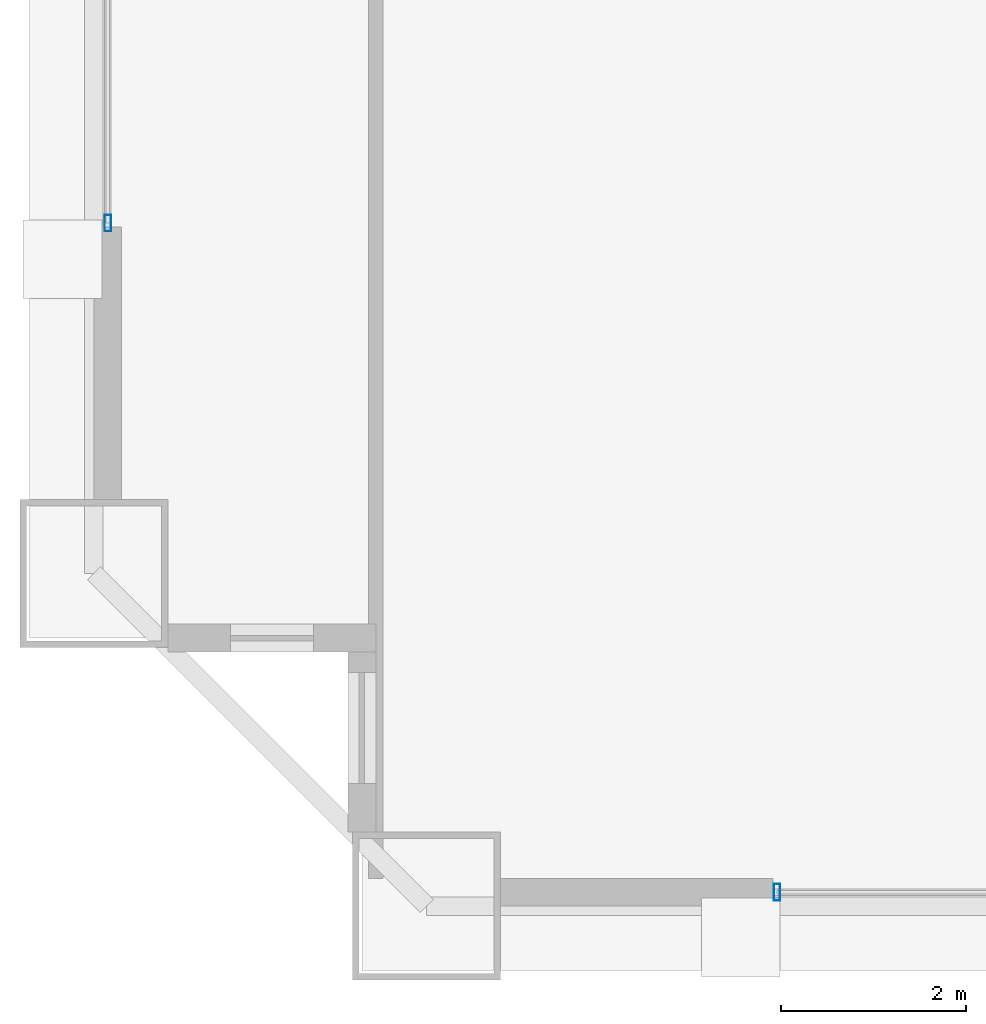
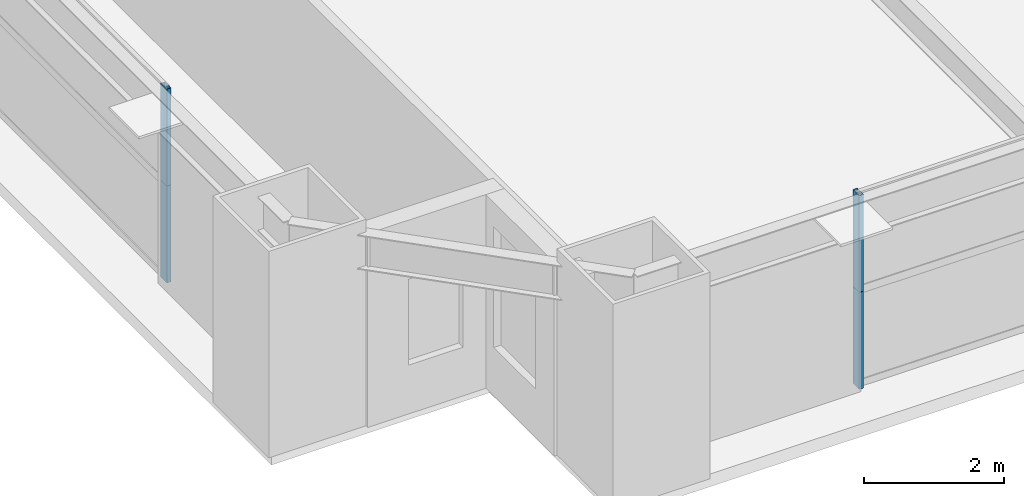
# One storey, part 3 of 38: 4 members, 2 elements without a shape of their own.
"""IFC4 building model written with IfcOpenShell, lengths in metres."""

from ifc_helpers import new_model, si_unit, direction, frame, origin, origin_2d, place, context, subcontext, project, spatial, hollow_rectangle, extrude, source, transform, mapped, material, layer, layer_set, material_profile, profile_set, type_object, element, aggregate, save


model = new_model("IFC4")

# Units and contexts
model_context = context("Model", 3, precision=1e-05, world=origin(), true_north=direction((0.0, 1.0)))
body_context = subcontext(model_context, "Body", "Model", "MODEL_VIEW")
ifc_project = project(units=[si_unit("LENGTHUNIT", "METRE"), si_unit("AREAUNIT", "SQUARE_METRE"), si_unit("VOLUMEUNIT", "CUBIC_METRE"), si_unit("PLANEANGLEUNIT", "RADIAN"), si_unit("MASSUNIT", "GRAM", prefix="KILO"), si_unit("THERMODYNAMICTEMPERATUREUNIT", "KELVIN"), si_unit("POWERUNIT", "WATT")], contexts=[model_context])

# Site, building, storey
site_placement = place(None, origin())
site = spatial("IfcSite", under=ifc_project, at=site_placement, CompositionType="ELEMENT")
building_placement = place(site_placement, origin())
building = spatial("IfcBuilding", under=site, at=building_placement, Name="Yuzanri Waterfront Tower", CompositionType="ELEMENT")
storey_placement = place(building_placement, frame((0.0, 0.0, 119.0)))
storey = spatial("IfcBuildingStorey", under=building, at=storey_placement, Name="L31", CompositionType="ELEMENT", Elevation=119.0)

# Curtain wall, members
ifc_material_1 = material(Name="Anodized Architectural Bronze", Category="metal")
ifc_layer = layer(ifc_material_1, 0.159912109375)
ifc_layer_set = layer_set([ifc_layer], Name="Anodized Architectural Bronze")
curtain_wall_type = type_object("IfcCurtainWallType", Name="Anodized Bronze Hotel Upper-Tier Solar-Control Unitized Curtain Wall 7800", PredefinedType="NOTDEFINED", material=ifc_layer_set)
curtain_wall_1_placement = place(storey_placement, origin())
curtain_wall_1 = element("IfcCurtainWall", 1, at=curtain_wall_1_placement, inside=storey, type_object=curtain_wall_type, Name="L31 Curtain Wall CW-L31-SL", PredefinedType="NOTDEFINED")
ifc_material_2 = material(Name="Anodized Architectural Bronze", Category="metal")
ifc_material_profile = material_profile(ifc_material_2, hollow_rectangle(XDim=0.070068359375, YDim=0.179931640625, WallThickness=0.00390625, at=origin_2d()), Name="CWM 70x180")
ifc_profile_set = profile_set([ifc_material_profile], Name="Anodized Architectural Bronze")
member_type = type_object("IfcMemberType", Name="Anodized Bronze Standard Curtain-Wall Mullion 70x180", PredefinedType="MULLION", material=ifc_profile_set)
shared_shape = source(origin(), body_context, "Body", "SweptSolid", [
    extrude(hollow_rectangle(XDim=0.070068359375, YDim=0.179931640625, WallThickness=0.00390625, at=origin_2d()), origin(), (0.0, 0.0, 1.0), 1.68798828125),
])
member_1_placement = place(storey_placement, frame((20.7900390625, 2.35009765625, 0.0), z_axis=(0.0, 0.0, 1.0), x_axis=(1.0, 0.0, 0.0)))
member_1 = element("IfcMember", 2, at=member_1_placement, type_object=member_type, Name="CW-L31-SL Lower Mullion 00", PredefinedType="MULLION", context=body_context, shape_type="MappedRepresentation", body=[
    mapped(shared_shape, transform((0.0, 0.0, 0.0), scale=1.0)),
])
member_2_placement = place(storey_placement, frame((20.7900390625, 2.35009765625, 1.69189453125), z_axis=(0.0, 0.0, 1.0), x_axis=(1.0, 0.0, 0.0)))
member_2 = element("IfcMember", 3, at=member_2_placement, type_object=member_type, Name="CW-L31-SL Upper Mullion 00", PredefinedType="MULLION", context=body_context, shape_type="MappedRepresentation", body=[
    mapped(shared_shape, transform((0.0, 0.0, 0.0), scale=1.0)),
])
aggregate(curtain_wall_1, [member_1, member_2])

curtain_wall_2_placement = place(storey_placement, origin())
curtain_wall_2 = element("IfcCurtainWall", 4, at=curtain_wall_2_placement, inside=storey, type_object=curtain_wall_type, Name="L31 Curtain Wall CW-L31-WL", PredefinedType="NOTDEFINED")
member_3_placement = place(storey_placement, frame((13.550048828125, 9.590087890625, 0.0), z_axis=(0.0, 0.0, 1.0), x_axis=(1.0, 0.0, 0.0)))
member_3 = element("IfcMember", 5, at=member_3_placement, type_object=member_type, Name="CW-L31-WL Lower Mullion 00", PredefinedType="MULLION", context=body_context, shape_type="MappedRepresentation", body=[
    mapped(shared_shape, transform((0.0, 0.0, 0.0), scale=1.0)),
])
member_4_placement = place(storey_placement, frame((13.550048828125, 9.590087890625, 1.69189453125), z_axis=(0.0, 0.0, 1.0), x_axis=(1.0, 0.0, 0.0)))
member_4 = element("IfcMember", 6, at=member_4_placement, type_object=member_type, Name="CW-L31-WL Upper Mullion 00", PredefinedType="MULLION", context=body_context, shape_type="MappedRepresentation", body=[
    mapped(shared_shape, transform((0.0, 0.0, 0.0), scale=1.0)),
])
aggregate(curtain_wall_2, [member_3, member_4])

save(model, "model.ifc")
